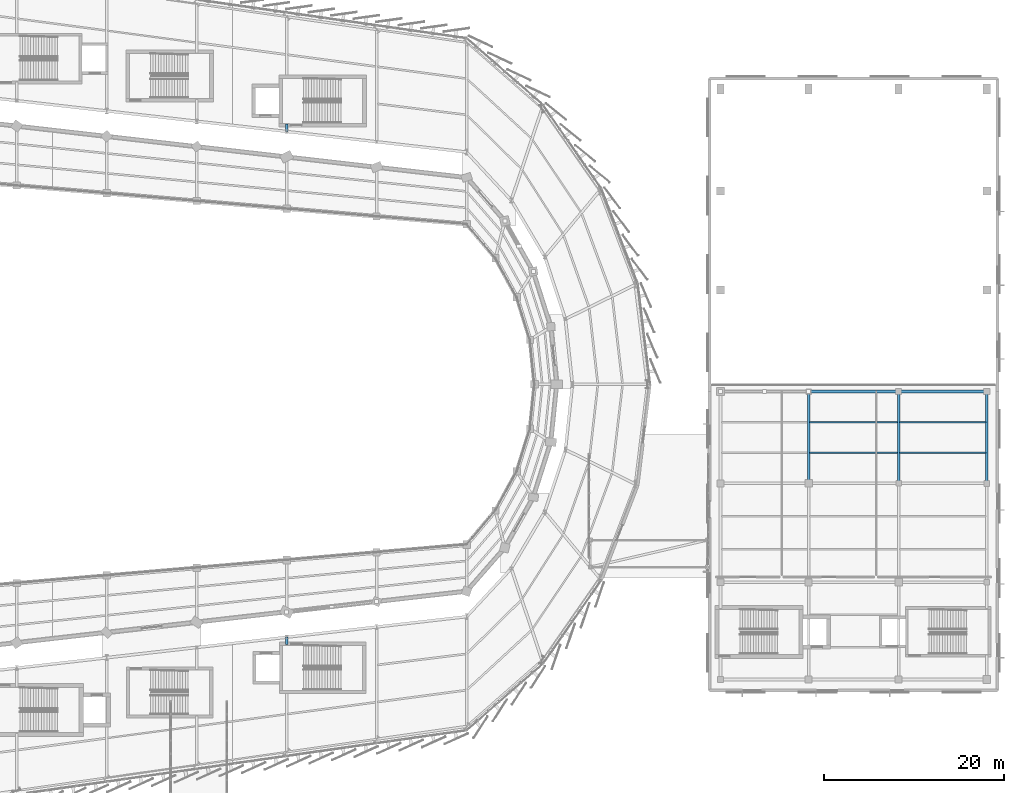
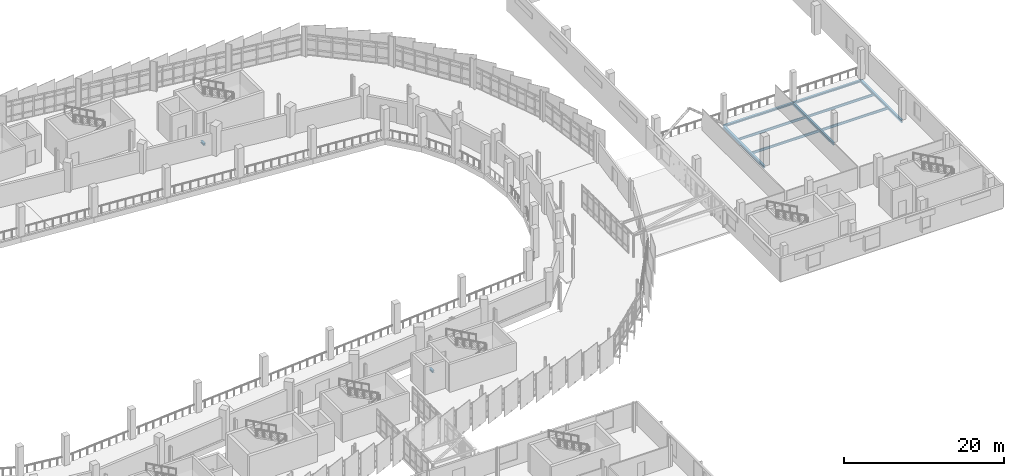
# One storey, part 78 of 125: 11 beams.
"""IFC4 building model written with IfcOpenShell, lengths in metres."""

from ifc_helpers import new_model, si_unit, direction, frame, origin, origin_2d, place, context, subcontext, project, spatial, i_section, extrude, material, material_profile, profile_set, type_object, element, save


model = new_model("IFC4")

# Units and contexts
model_context = context("Model", 3, precision=1e-05, world=origin(), true_north=direction((0.0, 1.0)))
body_context = subcontext(model_context, "Body", "Model", "MODEL_VIEW")
ifc_project = project(units=[si_unit("LENGTHUNIT", "METRE"), si_unit("AREAUNIT", "SQUARE_METRE"), si_unit("VOLUMEUNIT", "CUBIC_METRE"), si_unit("PLANEANGLEUNIT", "RADIAN"), si_unit("MASSUNIT", "GRAM", prefix="KILO")], contexts=[model_context])

# Site, building, storey
site_placement = place(None, origin())
site = spatial("IfcSite", under=ifc_project, at=site_placement, CompositionType="ELEMENT")
building_placement = place(site_placement, origin())
building = spatial("IfcBuilding", under=site, at=building_placement, Name="Sohan Crest Arena", CompositionType="ELEMENT")
storey_placement = place(building_placement, frame((0.0, 0.0, 9.0)))
storey = spatial("IfcBuildingStorey", under=building, at=storey_placement, Name="L02", CompositionType="ELEMENT", Elevation=9.0)

# Beams
ifc_material = material(Name="Steel S355", Category="steel")
ifc_material_profile_1 = material_profile(ifc_material, i_section(OverallWidth=0.169921875, OverallDepth=0.360107421875, WebThickness=0.008056640625, FlangeThickness=0.0126953125, at=origin_2d()), Name="IPE 360")
ifc_profile_set_1 = profile_set([ifc_material_profile_1], Name="Steel S355")
beam_type_1 = type_object("IfcBeamType", Name="STR-BM-B02", PredefinedType="JOIST", material=ifc_profile_set_1)
for number, where, z_axis, x_axis, name in (
    (1, (206.110107421875, 70.39990234375, -0.409912109375), (1.0, 0.0, 0.0), (0.0, 1.0, 0.0), "Structural beam J-L02-2336"),
    (2, (206.110107421875, 73.800048828125, -0.409912109375), (1.0, 0.0, 0.0), (0.0, 1.0, 0.0), "Structural beam J-L02-2337"),
):
    element("IfcBeam", number, at=place(storey_placement, frame(where, z_axis=z_axis, x_axis=x_axis)), inside=storey, type_object=beam_type_1, Name=name, PredefinedType="JOIST", context=body_context, shape_type="SweptSolid", body=[
        extrude(i_section(OverallWidth=0.169921875, OverallDepth=0.360107421875, WebThickness=0.008056640625, FlangeThickness=0.0126953125, at=origin_2d()), origin(), (0.0, 0.0, 1.0), 9.77978515625),
    ])
for number, where, z_axis, x_axis, name in (
    (3, (216.110107421875, 70.39990234375, -0.409912109375), (1.0, 0.0, 0.0), (0.0, 1.0, 0.0), "Structural beam J-L02-2339"),
    (4, (216.110107421875, 73.800048828125, -0.409912109375), (1.0, 0.0, 0.0), (0.0, 1.0, 0.0), "Structural beam J-L02-2340"),
):
    element("IfcBeam", number, at=place(storey_placement, frame(where, z_axis=z_axis, x_axis=x_axis)), inside=storey, type_object=beam_type_1, Name=name, PredefinedType="JOIST", context=body_context, shape_type="SweptSolid", body=[
        extrude(i_section(OverallWidth=0.169921875, OverallDepth=0.360107421875, WebThickness=0.008056640625, FlangeThickness=0.0126953125, at=origin_2d()), origin(), (0.0, 0.0, 1.0), 9.579833984375),
    ])
ifc_material_profile_2 = material_profile(ifc_material, i_section(OverallWidth=0.300048828125, OverallDepth=0.2900390625, WebThickness=0.008544921875, FlangeThickness=0.013916015625, at=origin_2d()), Name="HEA 300")
ifc_profile_set_2 = profile_set([ifc_material_profile_2], Name="Steel S355")
beam_type_2 = type_object("IfcBeamType", Name="STR-BM-B08", PredefinedType="BEAM", material=ifc_profile_set_2)
beam_1_placement = place(storey_placement, frame((206.0, 77.199951171875, -0.375), z_axis=(1.0, 0.0, 0.0), x_axis=(0.0, 1.0, 0.0)))
element("IfcBeam", 5, at=beam_1_placement, inside=storey, type_object=beam_type_2, Name="Structural beam G-L02-2342", PredefinedType="BEAM", context=body_context, shape_type="SweptSolid", body=[
    extrude(i_section(OverallWidth=0.300048828125, OverallDepth=0.2900390625, WebThickness=0.008544921875, FlangeThickness=0.013916015625, at=origin_2d()), origin(), (0.0, 0.0, 1.0), 10.0),
])
beam_2_placement = place(storey_placement, frame((216.0, 77.199951171875, -0.375), z_axis=(1.0, 0.0, 0.0), x_axis=(0.0, 1.0, 0.0)))
element("IfcBeam", 6, at=beam_2_placement, inside=storey, type_object=beam_type_2, Name="Structural beam G-L02-2343", PredefinedType="BEAM", context=body_context, shape_type="SweptSolid", body=[
    extrude(i_section(OverallWidth=0.300048828125, OverallDepth=0.2900390625, WebThickness=0.008544921875, FlangeThickness=0.013916015625, at=origin_2d()), origin(), (0.0, 0.0, 1.0), 9.800048828125),
])
ifc_material_profile_3 = material_profile(ifc_material, i_section(OverallWidth=0.300048828125, OverallDepth=0.389892578125, WebThickness=0.010986328125, FlangeThickness=0.01904296875, at=origin_2d()), Name="HEA 400")
ifc_profile_set_3 = profile_set([ifc_material_profile_3], Name="Steel S355")
beam_type_3 = type_object("IfcBeamType", Name="STR-BM-B09", PredefinedType="BEAM", material=ifc_profile_set_3)
for number, where, z_axis, x_axis, name in (
    (7, (206.0, 67.0, -0.425048828125), (0.0, 1.0, 0.0), (-1.0, 0.0, 0.0), "Structural beam G-L02-2310"),
    (8, (216.0, 67.0, -0.425048828125), (0.0, 1.0, 0.0), (-1.0, 0.0, 0.0), "Structural beam G-L02-2313"),
    (9, (225.800048828125, 67.0, -0.425048828125), (0.0, 1.0, 0.0), (-1.0, 0.0, 0.0), "Structural beam G-L02-2317"),
):
    element("IfcBeam", number, at=place(storey_placement, frame(where, z_axis=z_axis, x_axis=x_axis)), inside=storey, type_object=beam_type_3, Name=name, PredefinedType="BEAM", context=body_context, shape_type="SweptSolid", body=[
        extrude(i_section(OverallWidth=0.300048828125, OverallDepth=0.389892578125, WebThickness=0.010986328125, FlangeThickness=0.01904296875, at=origin_2d()), origin(), (0.0, 0.0, 1.0), 10.199951171875),
    ])
ifc_material_profile_4 = material_profile(ifc_material, i_section(OverallWidth=0.300048828125, OverallDepth=0.300048828125, WebThickness=0.010986328125, FlangeThickness=0.01904296875, at=origin_2d()), Name="HEB 300")
ifc_profile_set_4 = profile_set([ifc_material_profile_4], Name="Steel S355")
beam_type_4 = type_object("IfcBeamType", Name="STR-BM-B12", PredefinedType="BEAM", material=ifc_profile_set_4)
for number, where, z_axis, x_axis, name in (
    (10, (148.0, 49.9140625, -0.39990234375), (0.0, -1.0, 0.0), (1.0, 0.0, 0.0), "Structural beam G-L02-1316"),
    (11, (148.0, 106.0859375, -0.39990234375), (0.0, 1.0, 0.0), (-1.0, 0.0, 0.0), "Structural beam G-L02-1375"),
):
    element("IfcBeam", number, at=place(storey_placement, frame(where, z_axis=z_axis, x_axis=x_axis)), inside=storey, type_object=beam_type_4, Name=name, PredefinedType="BEAM", context=body_context, shape_type="SweptSolid", body=[
        extrude(i_section(OverallWidth=0.300048828125, OverallDepth=0.300048828125, WebThickness=0.010986328125, FlangeThickness=0.01904296875, at=origin_2d()), origin(), (0.0, 0.0, 1.0), 0.833984375),
    ])

save(model, "model.ifc")
